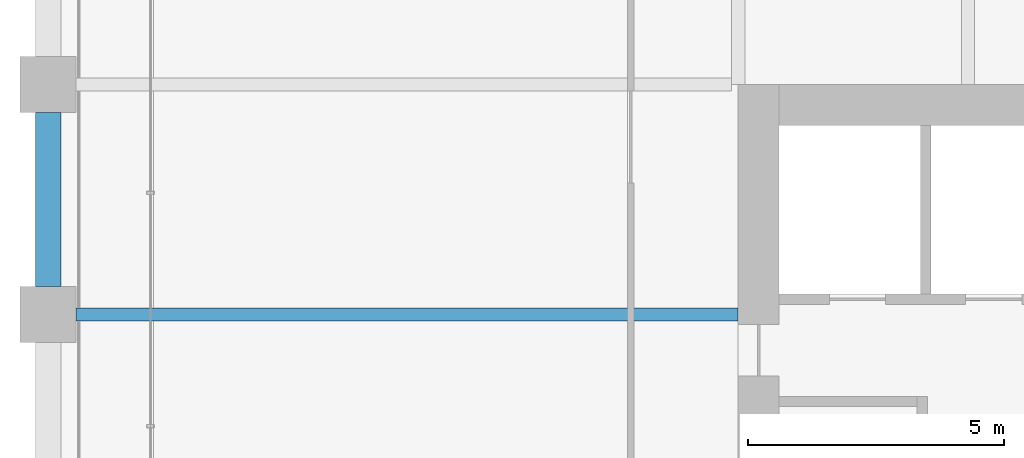
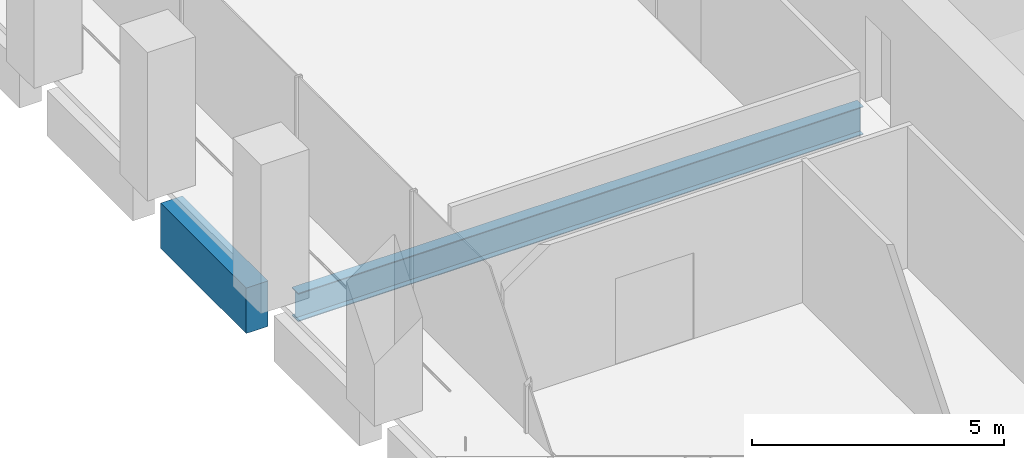
# One storey, part 13 of 54: 2 beams.
"""IFC4 building model written with IfcOpenShell, lengths in metres."""

from ifc_helpers import new_model, si_unit, direction, frame, origin, origin_2d, place, context, subcontext, project, spatial, rectangle, i_section, extrude, material, material_profile, profile_set, type_object, element, save


model = new_model("IFC4")

# Units and contexts
model_context = context("Model", 3, precision=1e-05, world=origin(), true_north=direction((0.0, 1.0)))
body_context = subcontext(model_context, "Body", "Model", "MODEL_VIEW")
ifc_project = project(units=[si_unit("LENGTHUNIT", "METRE"), si_unit("AREAUNIT", "SQUARE_METRE"), si_unit("VOLUMEUNIT", "CUBIC_METRE"), si_unit("PLANEANGLEUNIT", "RADIAN"), si_unit("MASSUNIT", "GRAM", prefix="KILO")], contexts=[model_context])

# Site, building, storey
site_placement = place(None, origin())
site = spatial("IfcSite", under=ifc_project, at=site_placement, CompositionType="ELEMENT")
building_placement = place(site_placement, origin())
building = spatial("IfcBuilding", under=site, at=building_placement, Name="Altepetl Exchange Towers", CompositionType="ELEMENT")
storey_placement = place(building_placement, frame((0.0, 0.0, 65.39990234375)))
storey = spatial("IfcBuildingStorey", under=building, at=storey_placement, Name="L15", CompositionType="ELEMENT", Elevation=65.39990234375)

# Beams
ifc_material_1 = material(Name="Steel S355", Category="steel")
ifc_material_profile_1 = material_profile(ifc_material_1, i_section(OverallWidth=0.25390625, OverallDepth=0.68408203125, WebThickness=0.012451171875, FlangeThickness=0.018798828125, at=origin_2d()), Name="W27X94")
ifc_profile_set_1 = profile_set([ifc_material_profile_1], Name="Steel S355")
beam_type_1 = type_object("IfcBeamType", Name="Floor beam W27X94", PredefinedType="BEAM", material=ifc_profile_set_1)
beam_1_placement = place(storey_placement, frame((27.550048828125, 54.0, -0.491943359375), z_axis=(1.0, 0.0, 0.0), x_axis=(0.0, 1.0, 0.0)))
element("IfcBeam", 1, at=beam_1_placement, inside=storey, type_object=beam_type_1, Name="bm:A:L15:020", PredefinedType="BEAM", context=body_context, shape_type="SweptSolid", body=[
    extrude(i_section(OverallWidth=0.25390625, OverallDepth=0.68408203125, WebThickness=0.012451171875, FlangeThickness=0.018798828125, at=origin_2d()), origin(), (0.0, 0.0, 1.0), 12.949951171875),
])
ifc_material_2 = material(Name="Concrete C50/60 precast with tezontle facing", Category="concrete")
ifc_material_profile_2 = material_profile(ifc_material_2, rectangle(XDim=0.5, YDim=1.10009765625, at=origin_2d()), Name="500 x 1100")
ifc_profile_set_2 = profile_set([ifc_material_profile_2], Name="Concrete C50/60 precast with tezontle facing")
beam_type_2 = type_object("IfcBeamType", Name="Spandrel beam 500x1100 tezontle", PredefinedType="SPANDREL", material=ifc_profile_set_2)
beam_2_placement = place(storey_placement, frame((27.0, 57.949951171875, -0.699951171875), z_axis=(0.0, -1.0, 0.0), x_axis=(1.0, 0.0, 0.0)))
element("IfcBeam", 2, at=beam_2_placement, inside=storey, type_object=beam_type_2, Name="sp:A:L15:038", PredefinedType="SPANDREL", context=body_context, shape_type="SweptSolid", body=[
    extrude(rectangle(XDim=0.5, YDim=1.10009765625, at=origin_2d()), origin(), (0.0, 0.0, 1.0), 3.39990234375),
])

save(model, "model.ifc")
